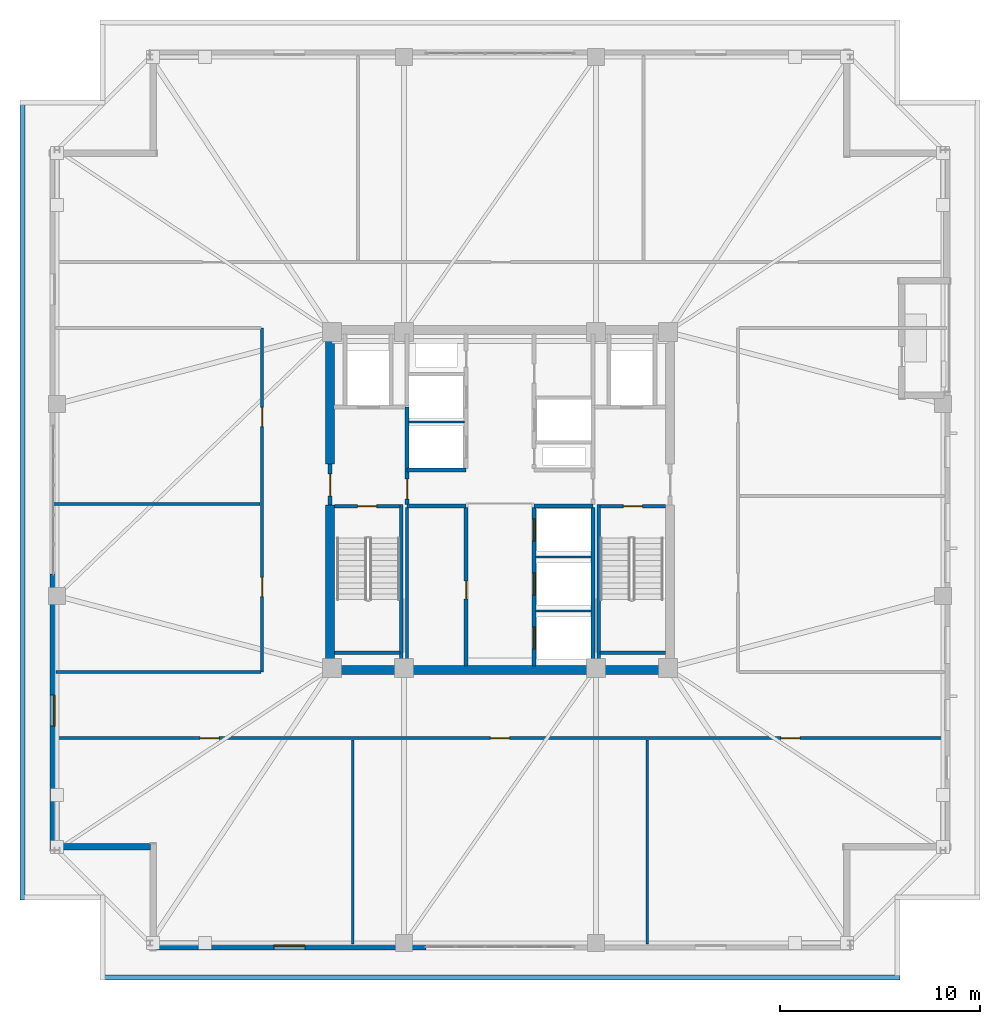
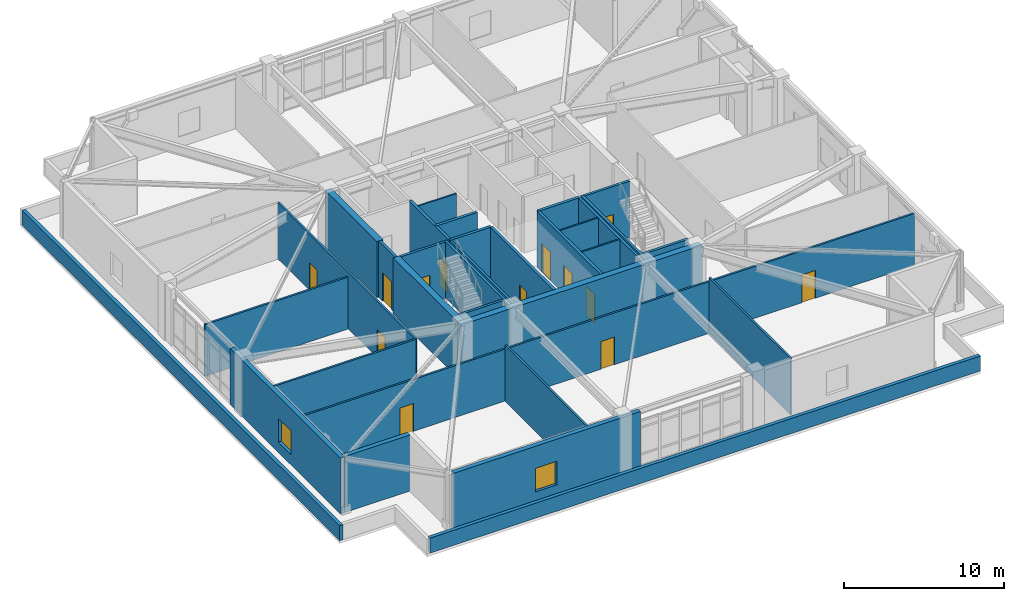
# One storey, part 11 of 18: 32 walls, 13 doors, 2 windows, 15 openings.
"""IFC4 building model written with IfcOpenShell, lengths in metres."""

import ifcopenshell
import ifcopenshell.guid

model = None  # the IFC model being written
_history = None  # IfcOwnerHistory: only IFC2X3 demands one
_inside = {}  # id of a spatial element -> (the spatial element, [elements in it])
_under = {}  # id of a project, library or spatial element -> (it, [spatial elements below it])
_declared = {}  # id of a project -> (the project, [libraries it declares])
_typed = {}  # id of a type object -> (the type object, [elements of that type])
_made_of = {}  # id of a material, layer set ... -> (it, [elements and type objects made of it])


def new_model(schema):
    """Start an empty IFC model of exactly this schema.

    Asked for "IFC4X3", IfcOpenShell would pick the latest addendum, in which some entities
    have other attributes; the version numbers below select the first issue.
    IFC2X3 requires an IfcOwnerHistory on every rooted entity: one is made here for all.
    """
    global model, _history
    if schema == "IFC4X3":
        model = ifcopenshell.file(schema_version=(4, 3, 0, 0))
    else:
        model = ifcopenshell.file(schema=schema)
    _inside.clear()
    _under.clear()
    _declared.clear()
    _typed.clear()
    _made_of.clear()
    _history = None
    if model.schema == "IFC2X3":
        org = make("IfcOrganization", Name="unknown")
        user = make(
            "IfcPersonAndOrganization",
            ThePerson=make("IfcPerson", FamilyName="unknown"),
            TheOrganization=org,
        )
        app = make(
            "IfcApplication",
            ApplicationDeveloper=org,
            Version="unknown",
            ApplicationFullName="unknown",
            ApplicationIdentifier="unknown",
        )
        _history = make(
            "IfcOwnerHistory",
            OwningUser=user,
            OwningApplication=app,
            ChangeAction="ADDED",
            CreationDate=0,
        )
    return model


def make(cls, **values):
    """One entity of the class cls with the attributes given. An attribute that is None is left unset."""
    return model.create_entity(
        cls, **{name: value for name, value in values.items() if value is not None}
    )


def rooted(cls, **values):
    """An entity with a GlobalId (a new one), such as an element, a storey or a relation."""
    return make(cls, GlobalId=ifcopenshell.guid.new(), OwnerHistory=_history, **values)


def si_unit(unit_type, name, prefix=None):
    """IfcSIUnit, for example si_unit("LENGTHUNIT", "METRE", prefix="MILLI")."""
    return make("IfcSIUnit", UnitType=unit_type, Prefix=prefix, Name=name)


def assignment(units):
    """IfcUnitAssignment: the units of a project."""
    return None if units is None else make("IfcUnitAssignment", Units=units)


def point(xyz):
    """IfcCartesianPoint."""
    return None if xyz is None else make("IfcCartesianPoint", Coordinates=xyz)


def direction(xyz):
    """IfcDirection."""
    return None if xyz is None else make("IfcDirection", DirectionRatios=xyz)


def frame(location, z_axis=None, x_axis=None):
    """IfcAxis2Placement3D, a coordinate frame: its origin and axes. An axis left out is left unset."""
    return make(
        "IfcAxis2Placement3D",
        Location=point(location),
        Axis=direction(z_axis),
        RefDirection=direction(x_axis),
    )


def frame_2d(location, x_axis=None):
    """IfcAxis2Placement2D, a coordinate frame in the plane: its origin and x axis."""
    return make(
        "IfcAxis2Placement2D", Location=point(location), RefDirection=direction(x_axis)
    )


def origin():
    """The frame at (0, 0, 0) with its axes left unset."""
    return frame((0.0, 0.0, 0.0))


def place(relative_to, where):
    """IfcLocalPlacement: puts the frame where relative to a parent placement (None: the world)."""
    return make(
        "IfcLocalPlacement", PlacementRelTo=relative_to, RelativePlacement=where
    )


def context(
    kind, dimensions, precision=None, world=None, true_north=None, identifier=None
):
    """IfcGeometricRepresentationContext, for example the 3D "Model" context."""
    return make(
        "IfcGeometricRepresentationContext",
        ContextIdentifier=identifier,
        ContextType=kind,
        CoordinateSpaceDimension=dimensions,
        Precision=precision,
        WorldCoordinateSystem=world,
        TrueNorth=true_north,
    )


def subcontext(parent, identifier, kind, view, scale=None):
    """IfcGeometricRepresentationSubContext, for example "Body" below "Model"."""
    return make(
        "IfcGeometricRepresentationSubContext",
        ContextIdentifier=identifier,
        ContextType=kind,
        ParentContext=parent,
        TargetScale=scale,
        TargetView=view,
    )


def project(units=None, contexts=None):
    """IfcProject with its units and contexts."""
    return rooted(
        "IfcProject",
        Name="project",
        RepresentationContexts=contexts,
        UnitsInContext=assignment(units),
    )


def spatial(cls, under=None, at=None, **own):
    """A site, building, storey or space (cls), placed at a placement, below another one or the project."""
    s = rooted(cls, ObjectPlacement=at, **own)
    if under is not None:
        _under.setdefault(under.id(), (under, []))[1].append(s)
    return s


def profile(cls, at=None, kind="AREA", **sizes):
    """A parametric profile (cls). Its sizes go by their IFC names, for example OverallWidth=200.0."""
    return make(cls, ProfileType=kind, Position=at, **sizes)


def rectangle(**sizes):
    """IfcRectangleProfileDef."""
    return profile("IfcRectangleProfileDef", **sizes)


def extrude(swept, where, along, depth):
    """IfcExtrudedAreaSolid: the profile swept, set in the frame where, extruded along a direction by depth."""
    return make(
        "IfcExtrudedAreaSolid",
        SweptArea=swept,
        Position=where,
        ExtrudedDirection=direction(along),
        Depth=depth,
    )


def shape(context_of_items, identifier, shape_type, items):
    """IfcShapeRepresentation: the items that make up one representation, for example the "Body"."""
    return make(
        "IfcShapeRepresentation",
        ContextOfItems=context_of_items,
        RepresentationIdentifier=identifier,
        RepresentationType=shape_type,
        Items=items,
    )


def material(Name=None, Category=None):
    """IfcMaterial."""
    return make("IfcMaterial", Name=Name, Category=Category)


def layer(
    of_material, thickness, ventilated=None, Name=None, Category=None, Priority=None
):
    """IfcMaterialLayer: one layer of a wall or slab, of a material (None: an air gap)."""
    return make(
        "IfcMaterialLayer",
        Material=of_material,
        LayerThickness=thickness,
        IsVentilated=ventilated,
        Name=Name,
        Category=Category,
        Priority=Priority,
    )


def layer_set(layers, Name=None):
    """IfcMaterialLayerSet."""
    return make("IfcMaterialLayerSet", MaterialLayers=layers, LayerSetName=Name)


def made_of(thing, what):
    """Note that an element or type object is made of a material, layer set ...; save() writes the relation."""
    if what is not None:
        _made_of.setdefault(what.id(), (what, []))[1].append(thing)
    return thing


def type_object(cls, material=None, **own):
    """A type object (cls), such as IfcWallType, which elements share."""
    return made_of(rooted(cls, **own), material)


def element(
    cls,
    number,
    at=None,
    inside=None,
    cuts=None,
    type_object=None,
    material=None,
    context=None,
    identifier="Body",
    shape_type=None,
    held_by="IfcProductDefinitionShape",
    body=None,
    shapes=None,
    **own,
):
    """One element of the class cls, such as IfcWall. Its Tag is "e" and its number.

    at: its placement. inside: the storey or other place that contains it. cuts: it is an
    opening in that element (IfcRelVoidsElement). A single representation is given by context,
    identifier, shape_type and body (its items); several are given by shapes. held_by: the class
    of the entity that holds the representations. save() writes the other relations.
    """
    e = rooted(cls, Tag="e%d" % number, ObjectPlacement=at, **own)
    if body is not None:
        shapes = [shape(context, identifier, shape_type, body)]
    if shapes is not None:
        e.Representation = make(held_by, Representations=shapes)
    if inside is not None:
        _inside.setdefault(inside.id(), (inside, []))[1].append(e)
    if cuts is not None:
        rooted(
            "IfcRelVoidsElement", RelatingBuildingElement=cuts, RelatedOpeningElement=e
        )
    if type_object is not None:
        _typed.setdefault(type_object.id(), (type_object, []))[1].append(e)
    return made_of(e, material)


def fill(opening, filler):
    """IfcRelFillsElement: the door or window that sits in an opening."""
    return rooted(
        "IfcRelFillsElement",
        RelatingOpeningElement=opening,
        RelatedBuildingElement=filler,
    )


def aggregate(whole, parts):
    """IfcRelAggregates: a whole, such as a stair, and the parts it consists of."""
    return rooted("IfcRelAggregates", RelatingObject=whole, RelatedObjects=parts)


def save(model, path):
    """Write the relations noted so far, then the file.

    IfcRelAggregates (storeys below a building ...), IfcRelContainedInSpatialStructure (elements
    in a storey), IfcRelDefinesByType, IfcRelAssociatesMaterial and IfcRelDeclares: one each for
    every whole, place, type object, material and project.
    """
    for whole, parts in _under.values():
        aggregate(whole, parts)
    for where, things in _inside.values():
        rooted(
            "IfcRelContainedInSpatialStructure",
            RelatedElements=things,
            RelatingStructure=where,
        )
    for kind, things in _typed.values():
        rooted("IfcRelDefinesByType", RelatedObjects=things, RelatingType=kind)
    for what, things in _made_of.values():
        rooted("IfcRelAssociatesMaterial", RelatedObjects=things, RelatingMaterial=what)
    for by, libraries in _declared.values():
        rooted("IfcRelDeclares", RelatingContext=by, RelatedDefinitions=libraries)
    model.write(path)


model = new_model("IFC4")

# Units and contexts
model_context = context("Model", 3, precision=1e-05, world=origin(), true_north=direction((0.0, 1.0)))
body_context = subcontext(model_context, "Body", "Model", "MODEL_VIEW")
ifc_project = project(units=[si_unit("LENGTHUNIT", "METRE"), si_unit("AREAUNIT", "SQUARE_METRE"), si_unit("VOLUMEUNIT", "CUBIC_METRE"), si_unit("PLANEANGLEUNIT", "RADIAN"), si_unit("MASSUNIT", "GRAM", prefix="KILO")], contexts=[model_context])

# Site, building, storey
site_placement = place(None, origin())
site = spatial("IfcSite", under=ifc_project, at=site_placement, CompositionType="ELEMENT")
building_placement = place(site_placement, origin())
building = spatial("IfcBuilding", under=site, at=building_placement, Name="Cairnveth Concourse Tower", CompositionType="ELEMENT")
storey_placement = place(building_placement, frame((0.0, 0.0, 198.0)))
storey = spatial("IfcBuildingStorey", under=building, at=storey_placement, Name="L54", CompositionType="ELEMENT", Elevation=198.0)

# Walls
ifc_material_1 = material(Name="Gypsum Plasterboard Partition", Category="gypsum")
ifc_layer_1 = layer(ifc_material_1, 0.159912109375)
ifc_layer_set_1 = layer_set([ifc_layer_1], Name="Gypsum Plasterboard Partition")
wall_type_1 = type_object("IfcWallType", Name="ACOUSTIC PARTY WALL 180", PredefinedType="PARTITIONING", material=ifc_layer_set_1)
wall_1_placement = place(storey_placement, frame((47.35009765625, 30.7099609375, 0.0), z_axis=(0.0, 0.0, 1.0), x_axis=(0.0, 1.0, 0.0)))
element("IfcWall", 1, at=wall_1_placement, inside=storey, type_object=wall_type_1, Name="Interior Wall IW-L54-025", PredefinedType="PARTITIONING", context=body_context, shape_type="SweptSolid", body=[
    extrude(rectangle(XDim=7.905029296875, YDim=0.159912109375, at=frame_2d((3.95263671875, 0.0))), origin(), (0.0, 0.0, 1.0), 4.2900390625),
])
ifc_material_2 = material(Name="Concrete N65 (65 MPa)", Category="concrete")
ifc_layer_2 = layer(ifc_material_2, 0.449951171875)
ifc_layer_set_2 = layer_set([ifc_layer_2], Name="Concrete N65 (65 MPa)")
wall_type_2 = type_object("IfcWallType", Name="CORE SHEAR WALL 450", PredefinedType="SHEAR", material=ifc_layer_set_2)
wall_2_placement = place(storey_placement, frame((43.27490234375, 30.5, 0.0), z_axis=(0.0, 0.0, 1.0), x_axis=(1.0, 0.0, 0.0)))
element("IfcWall", 2, at=wall_2_placement, inside=storey, type_object=wall_type_2, Name="Core South Shear Wall L54", PredefinedType="SHEAR", context=body_context, shape_type="SweptSolid", body=[
    extrude(rectangle(XDim=17.4501953125, YDim=0.449951171875, at=frame_2d((8.72509765625, 0.0))), origin(), (0.0, 0.0, 1.0), 4.2900390625),
])
wall_3_placement = place(storey_placement, frame((43.5, 30.715087890625, 0.0), z_axis=(0.0, 0.0, 1.0), x_axis=(0.0, 1.0, 0.0)))
element("IfcWall", 3, at=wall_3_placement, inside=storey, type_object=wall_type_2, Name="Core West Shear Wall S L54", PredefinedType="SHEAR", context=body_context, shape_type="SweptSolid", body=[
    extrude(rectangle(XDim=8.034912109375, YDim=0.449951171875, at=frame_2d((4.017578125, 0.0))), origin(), (0.0, 0.0, 1.0), 4.2900390625),
])
wall_4_placement = place(storey_placement, frame((43.5, 40.800048828125, 0.0), z_axis=(0.0, 0.0, 1.0), x_axis=(0.0, 1.0, 0.0)))
element("IfcWall", 4, at=wall_4_placement, inside=storey, type_object=wall_type_2, Name="Core West Shear Wall N L54", PredefinedType="SHEAR", context=body_context, shape_type="SweptSolid", body=[
    extrude(rectangle(XDim=6.48486328125, YDim=0.449951171875, at=frame_2d((3.242431640625, 0.0))), origin(), (0.0, 0.0, 1.0), 4.2900390625),
])
ifc_material_3 = material(Name="Concrete N50 (50 MPa)", Category="concrete")
ifc_layer_3 = layer(ifc_material_3, 0.179931640625)
ifc_layer_set_3 = layer_set([ifc_layer_3], Name="Concrete N50 (50 MPa)")
wall_type_3 = type_object("IfcWallType", Name="FIRE SHAFT WALL 180", PredefinedType="SOLIDWALL", material=ifc_layer_set_3)
wall_5_placement = place(storey_placement, frame((56.64990234375, 30.7099609375, 0.0), z_axis=(0.0, 0.0, 1.0), x_axis=(0.0, 1.0, 0.0)))
element("IfcWall", 5, at=wall_5_placement, inside=storey, type_object=wall_type_3, Name="Interior Wall IW-L54-026", PredefinedType="SOLIDWALL", context=body_context, shape_type="SweptSolid", body=[
    extrude(rectangle(XDim=7.905029296875, YDim=0.179931640625, at=frame_2d((3.95263671875, 0.0))), origin(), (0.0, 0.0, 1.0), 4.2900390625),
])

# Wall, opening, door
wall_6_placement = place(storey_placement, frame((43.715087890625, 38.68994140625, 0.0), z_axis=(0.0, 0.0, 1.0), x_axis=(1.0, 0.0, 0.0)))
wall_6 = element("IfcWall", 6, at=wall_6_placement, inside=storey, type_object=wall_type_3, Name="Stair ST-1 Shaft Wall NEAR L54", PredefinedType="SOLIDWALL", context=body_context, shape_type="SweptSolid", body=[
    extrude(rectangle(XDim=3.280029296875, YDim=0.179931640625, at=frame_2d((1.64013671875, 0.0))), origin(), (0.0, 0.0, 1.0), 4.2900390625),
])
opening_1_placement = place(wall_6_placement, frame((1.1650390625, 0.0, 0.0)))
opening_1 = element("IfcOpeningElement", 7, at=opening_1_placement, cuts=wall_6, Name="Opening ID12", PredefinedType="OPENING", context=body_context, shape_type="SweptSolid", body=[
    extrude(rectangle(XDim=0.949951171875, YDim=2.14990234375, at=frame_2d((0.47509765625, 1.074951171875))), frame((0.0, 0.099853515625, 0.0), z_axis=(0.0, -1.0, 0.0), x_axis=(1.0, 0.0, 0.0)), (0.0, 0.0, 1.0), 0.199951171875),
])
ifc_material_4 = material(Name="Steel Grade 350", Category="steel")
door_type_1 = type_object("IfcDoorType", Name="FIRE STAIR DOOR 950X2150", OperationType="NOTDEFINED", PredefinedType="DOOR", material=ifc_material_4)
door_1_placement = place(opening_1_placement, origin())
door_1 = element("IfcDoor", 8, at=door_1_placement, inside=storey, type_object=door_type_1, Name="Stair ST-1 Fire Door L54", OperationType="SINGLE_SWING_LEFT", OverallHeight=2.14990234375, OverallWidth=0.949951171875, PredefinedType="DOOR", context=body_context, shape_type="SweptSolid", body=[
    extrude(rectangle(XDim=0.949951171875, YDim=2.14990234375, at=frame_2d((0.47509765625, 1.074951171875))), frame((0.0, 0.02490234375, 0.0), z_axis=(0.0, -1.0, 0.0), x_axis=(1.0, 0.0, 0.0)), (0.0, 0.0, 1.0), 0.050048828125),
])
fill(opening_1, door_1)

# Walls
wall_7_placement = place(storey_placement, frame((43.715087890625, 31.360107421875, 0.0), z_axis=(0.0, 0.0, 1.0), x_axis=(1.0, 0.0, 0.0)))
element("IfcWall", 9, at=wall_7_placement, inside=storey, type_object=wall_type_3, Name="Stair ST-1 Shaft Wall FAR L54", PredefinedType="SOLIDWALL", context=body_context, shape_type="SweptSolid", body=[
    extrude(rectangle(XDim=3.280029296875, YDim=0.179931640625, at=frame_2d((1.64013671875, 0.0))), origin(), (0.0, 0.0, 1.0), 4.2900390625),
])
wall_8_placement = place(storey_placement, frame((47.070068359375, 38.780029296875, 0.0), z_axis=(0.0, 0.0, 1.0), x_axis=(0.0, -1.0, 0.0)))
element("IfcWall", 10, at=wall_8_placement, inside=storey, type_object=wall_type_3, Name="Stair ST-1 Shaft Wall RGHT L54", PredefinedType="SOLIDWALL", context=body_context, shape_type="SweptSolid", body=[
    extrude(rectangle(XDim=8.067138671875, YDim=0.179931640625, at=frame_2d((4.03369140625, 0.0))), origin(), (0.0, 0.0, 1.0), 4.2900390625),
])

# Wall, opening, door
wall_9_placement = place(storey_placement, frame((57.0048828125, 38.68994140625, 0.0), z_axis=(0.0, 0.0, 1.0), x_axis=(1.0, 0.0, 0.0)))
wall_9 = element("IfcWall", 11, at=wall_9_placement, inside=storey, type_object=wall_type_3, Name="Stair ST-2 Shaft Wall NEAR L54", PredefinedType="SOLIDWALL", context=body_context, shape_type="SweptSolid", body=[
    extrude(rectangle(XDim=3.280029296875, YDim=0.179931640625, at=frame_2d((1.64013671875, 0.0))), origin(), (0.0, 0.0, 1.0), 4.2900390625),
])
opening_2_placement = place(wall_9_placement, frame((1.1650390625, 0.0, 0.0)))
opening_2 = element("IfcOpeningElement", 12, at=opening_2_placement, cuts=wall_9, Name="Opening ID12", PredefinedType="OPENING", context=body_context, shape_type="SweptSolid", body=[
    extrude(rectangle(XDim=0.949951171875, YDim=2.14990234375, at=frame_2d((0.47509765625, 1.074951171875))), frame((0.0, 0.099853515625, 0.0), z_axis=(0.0, -1.0, 0.0), x_axis=(1.0, 0.0, 0.0)), (0.0, 0.0, 1.0), 0.199951171875),
])
door_2_placement = place(opening_2_placement, origin())
door_2 = element("IfcDoor", 13, at=door_2_placement, inside=storey, type_object=door_type_1, Name="Stair ST-2 Fire Door L54", OperationType="SINGLE_SWING_RIGHT", OverallHeight=2.14990234375, OverallWidth=0.949951171875, PredefinedType="DOOR", context=body_context, shape_type="SweptSolid", body=[
    extrude(rectangle(XDim=0.949951171875, YDim=2.14990234375, at=frame_2d((0.47509765625, 1.074951171875))), frame((0.0, 0.02490234375, 0.0), z_axis=(0.0, -1.0, 0.0), x_axis=(1.0, 0.0, 0.0)), (0.0, 0.0, 1.0), 0.050048828125),
])
fill(opening_2, door_2)

# Walls
wall_10_placement = place(storey_placement, frame((57.0048828125, 31.360107421875, 0.0), z_axis=(0.0, 0.0, 1.0), x_axis=(1.0, 0.0, 0.0)))
element("IfcWall", 14, at=wall_10_placement, inside=storey, type_object=wall_type_3, Name="Stair ST-2 Shaft Wall FAR L54", PredefinedType="SOLIDWALL", context=body_context, shape_type="SweptSolid", body=[
    extrude(rectangle(XDim=3.280029296875, YDim=0.179931640625, at=frame_2d((1.64013671875, 0.0))), origin(), (0.0, 0.0, 1.0), 4.2900390625),
])
wall_11_placement = place(storey_placement, frame((56.929931640625, 38.780029296875, 0.0), z_axis=(0.0, 0.0, 1.0), x_axis=(0.0, -1.0, 0.0)))
element("IfcWall", 15, at=wall_11_placement, inside=storey, type_object=wall_type_3, Name="Stair ST-2 Shaft Wall LEFT L54", PredefinedType="SOLIDWALL", context=body_context, shape_type="SweptSolid", body=[
    extrude(rectangle(XDim=8.067138671875, YDim=0.179931640625, at=frame_2d((4.03369140625, 0.0))), origin(), (0.0, 0.0, 1.0), 4.2900390625),
])
ifc_layer_4 = layer(ifc_material_3, 0.199951171875)
ifc_layer_set_4 = layer_set([ifc_layer_4], Name="Concrete N50 (50 MPa)")
wall_type_4 = type_object("IfcWallType", Name="FIRE SHAFT WALL 200", PredefinedType="SOLIDWALL", material=ifc_layer_set_4)
for number, where, z_axis, x_axis, name in (
    (16, (47.35009765625, 38.699951171875, 0.0), (0.0, 0.0, 1.0), (1.0, 0.0, 0.0), "Interior Wall IW-L54-007"),
    (17, (47.35009765625, 40.5, 0.0), (0.0, 0.0, 1.0), (1.0, 0.0, 0.0), "Interior Wall IW-L54-008"),
    (18, (53.699951171875, 38.699951171875, 0.0), (0.0, 0.0, 1.0), (1.0, 0.0, 0.0), "Interior Wall IW-L54-009"),
):
    element("IfcWall", number, at=place(storey_placement, frame(where, z_axis=z_axis, x_axis=x_axis)), inside=storey, type_object=wall_type_4, Name=name, PredefinedType="SOLIDWALL", context=body_context, shape_type="SweptSolid", body=[
        extrude(rectangle(XDim=2.949951171875, YDim=0.199951171875, at=frame_2d((1.47509765625, 0.0))), origin(), (0.0, 0.0, 1.0), 4.2900390625),
    ])

# Wall, opening, door
wall_12_placement = place(storey_placement, frame((50.300048828125, 30.7099609375, 0.0), z_axis=(0.0, 0.0, 1.0), x_axis=(0.0, 1.0, 0.0)))
wall_12 = element("IfcWall", 19, at=wall_12_placement, inside=storey, type_object=wall_type_4, Name="Interior Wall IW-L54-011", PredefinedType="SOLIDWALL", context=body_context, shape_type="SweptSolid", body=[
    extrude(rectangle(XDim=7.905029296875, YDim=0.199951171875, at=frame_2d((3.95263671875, 0.0))), origin(), (0.0, 0.0, 1.0), 4.2900390625),
])
opening_3_placement = place(wall_12_placement, frame((3.340087890625, 0.0, 0.0)))
opening_3 = element("IfcOpeningElement", 20, at=opening_3_placement, cuts=wall_12, Name="Opening ID16", PredefinedType="OPENING", context=body_context, shape_type="SweptSolid", body=[
    extrude(rectangle(XDim=0.89990234375, YDim=2.1201171875, at=frame_2d((0.449951171875, 1.06005859375))), frame((0.0, 0.10986328125, 0.0), z_axis=(0.0, -1.0, 0.0), x_axis=(1.0, 0.0, 0.0)), (0.0, 0.0, 1.0), 0.219970703125),
])
door_type_2 = type_object("IfcDoorType", Name="CORE SERVICE DOOR 900X2100", OperationType="NOTDEFINED", PredefinedType="DOOR", material=ifc_material_4)
door_3_placement = place(opening_3_placement, origin())
door_3 = element("IfcDoor", 21, at=door_3_placement, inside=storey, type_object=door_type_2, Name="Linen Pantry Suite Door L54", OperationType="SINGLE_SWING_LEFT", OverallHeight=2.1201171875, OverallWidth=0.89990234375, PredefinedType="DOOR", context=body_context, shape_type="SweptSolid", body=[
    extrude(rectangle(XDim=0.89990234375, YDim=2.1201171875, at=frame_2d((0.449951171875, 1.06005859375))), frame((0.0, 0.02490234375, 0.0), z_axis=(0.0, -1.0, 0.0), x_axis=(1.0, 0.0, 0.0)), (0.0, 0.0, 1.0), 0.050048828125),
])
fill(opening_3, door_3)

# Wall, openings, doors
wall_13_placement = place(storey_placement, frame((53.699951171875, 30.7099609375, 0.0), z_axis=(0.0, 0.0, 1.0), x_axis=(0.0, 1.0, 0.0)))
wall_13 = element("IfcWall", 22, at=wall_13_placement, inside=storey, type_object=wall_type_4, Name="Interior Wall IW-L54-012", PredefinedType="SOLIDWALL", context=body_context, shape_type="SweptSolid", body=[
    extrude(rectangle(XDim=7.905029296875, YDim=0.199951171875, at=frame_2d((3.95263671875, 0.0))), origin(), (0.0, 0.0, 1.0), 4.2900390625),
])
opening_4_placement = place(wall_13_placement, frame((0.840087890625, 0.0, 0.0)))
opening_4 = element("IfcOpeningElement", 23, at=opening_4_placement, cuts=wall_13, Name="Opening LD-1", PredefinedType="OPENING", context=body_context, shape_type="SweptSolid", body=[
    extrude(rectangle(XDim=1.10009765625, YDim=2.199951171875, at=frame_2d((0.550048828125, 1.10009765625))), frame((0.0, 0.10986328125, 0.0), z_axis=(0.0, -1.0, 0.0), x_axis=(1.0, 0.0, 0.0)), (0.0, 0.0, 1.0), 0.219970703125),
])
opening_5_placement = place(wall_13_placement, frame((3.5400390625, 0.0, 0.0)))
opening_5 = element("IfcOpeningElement", 24, at=opening_5_placement, cuts=wall_13, Name="Opening LD-1", PredefinedType="OPENING", context=body_context, shape_type="SweptSolid", body=[
    extrude(rectangle(XDim=1.10009765625, YDim=2.199951171875, at=frame_2d((0.550048828125, 1.10009765625))), frame((0.0, 0.10986328125, 0.0), z_axis=(0.0, -1.0, 0.0), x_axis=(1.0, 0.0, 0.0)), (0.0, 0.0, 1.0), 0.219970703125),
])
opening_6_placement = place(wall_13_placement, frame((6.239990234375, 0.0, 0.0)))
opening_6 = element("IfcOpeningElement", 25, at=opening_6_placement, cuts=wall_13, Name="Opening LD-1", PredefinedType="OPENING", context=body_context, shape_type="SweptSolid", body=[
    extrude(rectangle(XDim=1.10009765625, YDim=2.199951171875, at=frame_2d((0.550048828125, 1.10009765625))), frame((0.0, 0.10986328125, 0.0), z_axis=(0.0, -1.0, 0.0), x_axis=(1.0, 0.0, 0.0)), (0.0, 0.0, 1.0), 0.219970703125),
])
ifc_material_5 = material(Name="Architectural Bronze Anodised Aluminium 6063-T6", Category="aluminium")
door_type_3 = type_object("IfcDoorType", Name="LIFT LANDING DOOR 1100X2200", OperationType="SLIDING_TO_LEFT", PredefinedType="DOOR", material=ifc_material_5)
door_4_placement = place(opening_4_placement, origin())
door_4 = element("IfcDoor", 26, at=door_4_placement, inside=storey, type_object=door_type_3, Name="Lift PL4 Landing Door L54", OperationType="SLIDING_TO_LEFT", OverallHeight=2.199951171875, OverallWidth=1.10009765625, PredefinedType="DOOR", context=body_context, shape_type="SweptSolid", body=[
    extrude(rectangle(XDim=1.10009765625, YDim=2.199951171875, at=frame_2d((0.550048828125, 1.10009765625))), frame((0.0, 0.02490234375, 0.0), z_axis=(0.0, -1.0, 0.0), x_axis=(1.0, 0.0, 0.0)), (0.0, 0.0, 1.0), 0.050048828125),
])
fill(opening_4, door_4)
door_5_placement = place(opening_5_placement, origin())
door_5 = element("IfcDoor", 27, at=door_5_placement, inside=storey, type_object=door_type_3, Name="Lift PL5 Landing Door L54", OperationType="SLIDING_TO_LEFT", OverallHeight=2.199951171875, OverallWidth=1.10009765625, PredefinedType="DOOR", context=body_context, shape_type="SweptSolid", body=[
    extrude(rectangle(XDim=1.10009765625, YDim=2.199951171875, at=frame_2d((0.550048828125, 1.10009765625))), frame((0.0, 0.02490234375, 0.0), z_axis=(0.0, -1.0, 0.0), x_axis=(1.0, 0.0, 0.0)), (0.0, 0.0, 1.0), 0.050048828125),
])
fill(opening_5, door_5)
door_6_placement = place(opening_6_placement, origin())
door_6 = element("IfcDoor", 28, at=door_6_placement, inside=storey, type_object=door_type_3, Name="Lift PL6 Landing Door L54", OperationType="SLIDING_TO_LEFT", OverallHeight=2.199951171875, OverallWidth=1.10009765625, PredefinedType="DOOR", context=body_context, shape_type="SweptSolid", body=[
    extrude(rectangle(XDim=1.10009765625, YDim=2.199951171875, at=frame_2d((0.550048828125, 1.10009765625))), frame((0.0, 0.02490234375, 0.0), z_axis=(0.0, -1.0, 0.0), x_axis=(1.0, 0.0, 0.0)), (0.0, 0.0, 1.0), 0.050048828125),
])
fill(opening_6, door_6)

# Wall, opening, door
wall_14_placement = place(storey_placement, frame((43.5, 38.75, 0.0), z_axis=(0.0, 0.0, 1.0), x_axis=(0.0, 1.0, 0.0)))
wall_14 = element("IfcWall", 29, at=wall_14_placement, inside=storey, type_object=wall_type_4, Name="Interior Wall IW-L54-015", PredefinedType="SOLIDWALL", context=body_context, shape_type="SweptSolid", body=[
    extrude(rectangle(XDim=2.050048828125, YDim=0.199951171875, at=frame_2d((1.02490234375, 0.0))), origin(), (0.0, 0.0, 1.0), 4.2900390625),
])
opening_7_placement = place(wall_14_placement, frame((0.449951171875, 0.0, 0.0)))
opening_7 = element("IfcOpeningElement", 30, at=opening_7_placement, cuts=wall_14, Name="Opening ID06", PredefinedType="OPENING", context=body_context, shape_type="SweptSolid", body=[
    extrude(rectangle(XDim=1.10009765625, YDim=2.14990234375, at=frame_2d((0.550048828125, 1.074951171875))), frame((0.0, 0.10986328125, 0.0), z_axis=(0.0, -1.0, 0.0), x_axis=(1.0, 0.0, 0.0)), (0.0, 0.0, 1.0), 0.219970703125),
])
door_type_4 = type_object("IfcDoorType", Name="FIRE CORRIDOR DOOR 1100X2150", OperationType="NOTDEFINED", PredefinedType="DOOR", material=ifc_material_4)
door_7_placement = place(opening_7_placement, origin())
door_7 = element("IfcDoor", 31, at=door_7_placement, inside=storey, type_object=door_type_4, Name="West Wing to FF Lobby Door L54", OperationType="SINGLE_SWING_LEFT", OverallHeight=2.14990234375, OverallWidth=1.10009765625, PredefinedType="DOOR", context=body_context, shape_type="SweptSolid", body=[
    extrude(rectangle(XDim=1.10009765625, YDim=2.14990234375, at=frame_2d((0.550048828125, 1.074951171875))), frame((0.0, 0.02490234375, 0.0), z_axis=(0.0, -1.0, 0.0), x_axis=(1.0, 0.0, 0.0)), (0.0, 0.0, 1.0), 0.050048828125),
])
fill(opening_7, door_7)

wall_15_placement = place(storey_placement, frame((47.35009765625, 38.784912109375, 0.0), z_axis=(0.0, 0.0, 1.0), x_axis=(0.0, 1.0, 0.0)))
wall_15 = element("IfcWall", 32, at=wall_15_placement, inside=storey, type_object=wall_type_4, Name="Interior Wall IW-L54-016", PredefinedType="SOLIDWALL", context=body_context, shape_type="SweptSolid", body=[
    extrude(rectangle(XDim=4.864990234375, YDim=0.199951171875, at=frame_2d((2.4326171875, 0.0))), origin(), (0.0, 0.0, 1.0), 4.2900390625),
])
opening_8_placement = place(wall_15_placement, frame((0.264892578125, 0.0, 0.0)))
opening_8 = element("IfcOpeningElement", 33, at=opening_8_placement, cuts=wall_15, Name="Opening ID07", PredefinedType="OPENING", context=body_context, shape_type="SweptSolid", body=[
    extrude(rectangle(XDim=1.0, YDim=2.14990234375, at=frame_2d((0.5, 1.074951171875))), frame((0.0, 0.10986328125, 0.0), z_axis=(0.0, -1.0, 0.0), x_axis=(1.0, 0.0, 0.0)), (0.0, 0.0, 1.0), 0.219970703125),
])
door_type_5 = type_object("IfcDoorType", Name="FIRE CORRIDOR DOOR 1000X2150", OperationType="NOTDEFINED", PredefinedType="DOOR", material=ifc_material_4)
door_8_placement = place(opening_8_placement, origin())
door_8 = element("IfcDoor", 34, at=door_8_placement, inside=storey, type_object=door_type_5, Name="FF Lobby West to Lift Lobby Door L54", OperationType="SINGLE_SWING_RIGHT", OverallHeight=2.14990234375, OverallWidth=1.0, PredefinedType="DOOR", context=body_context, shape_type="SweptSolid", body=[
    extrude(rectangle(XDim=1.0, YDim=2.14990234375, at=frame_2d((0.5, 1.074951171875))), frame((0.0, 0.02490234375, 0.0), z_axis=(0.0, -1.0, 0.0), x_axis=(1.0, 0.0, 0.0)), (0.0, 0.0, 1.0), 0.050048828125),
])
fill(opening_8, door_8)

# Wall, openings, doors
ifc_layer_5 = layer(ifc_material_1, 0.139892578125)
ifc_layer_set_5 = layer_set([ifc_layer_5], Name="Gypsum Plasterboard Partition")
wall_type_5 = type_object("IfcWallType", Name="GYPSUM STUD PARTITION 140", PredefinedType="PARTITIONING", material=ifc_layer_set_5)
wall_16_placement = place(storey_placement, frame((29.804931640625, 27.10009765625, 0.0), z_axis=(0.0, 0.0, 1.0), x_axis=(1.0, 0.0, 0.0)))
wall_16 = element("IfcWall", 35, at=wall_16_placement, inside=storey, type_object=wall_type_5, Name="Interior Wall IW-L54-035", PredefinedType="PARTITIONING", context=body_context, shape_type="SweptSolid", body=[
    extrude(rectangle(XDim=44.39013671875, YDim=0.139892578125, at=frame_2d((22.195068359375, 0.0))), origin(), (0.0, 0.0, 1.0), 3.9580078125),
])
opening_9_placement = place(wall_16_placement, frame((7.195068359375, 0.0, 0.0)))
opening_9 = element("IfcOpeningElement", 36, at=opening_9_placement, cuts=wall_16, Name="Opening ID11", PredefinedType="OPENING", context=body_context, shape_type="SweptSolid", body=[
    extrude(rectangle(XDim=0.9599609375, YDim=2.1201171875, at=frame_2d((0.47998046875, 1.06005859375))), frame((0.0, 0.079833984375, 0.0), z_axis=(0.0, -1.0, 0.0), x_axis=(1.0, 0.0, 0.0)), (0.0, 0.0, 1.0), 0.159912109375),
])
opening_10_placement = place(wall_16_placement, frame((21.715087890625, 0.0, 0.0)))
opening_10 = element("IfcOpeningElement", 37, at=opening_10_placement, cuts=wall_16, Name="Opening ID11", PredefinedType="OPENING", context=body_context, shape_type="SweptSolid", body=[
    extrude(rectangle(XDim=0.9599609375, YDim=2.1201171875, at=frame_2d((0.47998046875, 1.06005859375))), frame((0.0, 0.079833984375, 0.0), z_axis=(0.0, -1.0, 0.0), x_axis=(1.0, 0.0, 0.0)), (0.0, 0.0, 1.0), 0.159912109375),
])
opening_11_placement = place(wall_16_placement, frame((36.235107421875, 0.0, 0.0)))
opening_11 = element("IfcOpeningElement", 38, at=opening_11_placement, cuts=wall_16, Name="Opening ID11", PredefinedType="OPENING", context=body_context, shape_type="SweptSolid", body=[
    extrude(rectangle(XDim=0.9599609375, YDim=2.1201171875, at=frame_2d((0.47998046875, 1.06005859375))), frame((0.0, 0.079833984375, 0.0), z_axis=(0.0, -1.0, 0.0), x_axis=(1.0, 0.0, 0.0)), (0.0, 0.0, 1.0), 0.159912109375),
])
ifc_material_6 = material(Name="Solid Core Hardwood Timber Leaf", Category="wood")
door_type_6 = type_object("IfcDoorType", Name="INTERIOR SINGLE DOOR 960X2150", OperationType="NOTDEFINED", PredefinedType="DOOR", material=ifc_material_6)
door_9_placement = place(opening_9_placement, origin())
door_9 = element("IfcDoor", 39, at=door_9_placement, inside=storey, type_object=door_type_6, Name="Office Door L54-S1", OperationType="SINGLE_SWING_LEFT", OverallHeight=2.1201171875, OverallWidth=0.9599609375, PredefinedType="DOOR", context=body_context, shape_type="SweptSolid", body=[
    extrude(rectangle(XDim=0.9599609375, YDim=2.1201171875, at=frame_2d((0.47998046875, 1.06005859375))), frame((0.0, 0.02490234375, 0.0), z_axis=(0.0, -1.0, 0.0), x_axis=(1.0, 0.0, 0.0)), (0.0, 0.0, 1.0), 0.050048828125),
])
fill(opening_9, door_9)
door_10_placement = place(opening_10_placement, origin())
door_10 = element("IfcDoor", 40, at=door_10_placement, inside=storey, type_object=door_type_6, Name="Office Door L54-S2", OperationType="SINGLE_SWING_RIGHT", OverallHeight=2.1201171875, OverallWidth=0.9599609375, PredefinedType="DOOR", context=body_context, shape_type="SweptSolid", body=[
    extrude(rectangle(XDim=0.9599609375, YDim=2.1201171875, at=frame_2d((0.47998046875, 1.06005859375))), frame((0.0, 0.02490234375, 0.0), z_axis=(0.0, -1.0, 0.0), x_axis=(1.0, 0.0, 0.0)), (0.0, 0.0, 1.0), 0.050048828125),
])
fill(opening_10, door_10)
door_11_placement = place(opening_11_placement, origin())
door_11 = element("IfcDoor", 41, at=door_11_placement, inside=storey, type_object=door_type_6, Name="Office Door L54-S3", OperationType="SINGLE_SWING_LEFT", OverallHeight=2.1201171875, OverallWidth=0.9599609375, PredefinedType="DOOR", context=body_context, shape_type="SweptSolid", body=[
    extrude(rectangle(XDim=0.9599609375, YDim=2.1201171875, at=frame_2d((0.47998046875, 1.06005859375))), frame((0.0, 0.02490234375, 0.0), z_axis=(0.0, -1.0, 0.0), x_axis=(1.0, 0.0, 0.0)), (0.0, 0.0, 1.0), 0.050048828125),
])
fill(opening_11, door_11)

wall_17_placement = place(storey_placement, frame((40.10009765625, 30.39990234375, 0.0), z_axis=(0.0, 0.0, 1.0), x_axis=(0.0, 1.0, 0.0)))
wall_17 = element("IfcWall", 42, at=wall_17_placement, inside=storey, type_object=wall_type_5, Name="Interior Wall IW-L54-037", PredefinedType="PARTITIONING", context=body_context, shape_type="SweptSolid", body=[
    extrude(rectangle(XDim=17.2001953125, YDim=0.139892578125, at=frame_2d((8.60009765625, 0.0))), origin(), (0.0, 0.0, 1.0), 4.2900390625),
])
opening_12_placement = place(wall_17_placement, frame((3.7724609375, 0.0, 0.0)))
opening_12 = element("IfcOpeningElement", 43, at=opening_12_placement, cuts=wall_17, Name="Opening ID11", PredefinedType="OPENING", context=body_context, shape_type="SweptSolid", body=[
    extrude(rectangle(XDim=0.9599609375, YDim=2.1201171875, at=frame_2d((0.47998046875, 1.06005859375))), frame((0.0, 0.079833984375, 0.0), z_axis=(0.0, -1.0, 0.0), x_axis=(1.0, 0.0, 0.0)), (0.0, 0.0, 1.0), 0.159912109375),
])
opening_13_placement = place(wall_17_placement, frame((12.2724609375, 0.0, 0.0)))
opening_13 = element("IfcOpeningElement", 44, at=opening_13_placement, cuts=wall_17, Name="Opening ID11", PredefinedType="OPENING", context=body_context, shape_type="SweptSolid", body=[
    extrude(rectangle(XDim=0.9599609375, YDim=2.1201171875, at=frame_2d((0.47998046875, 1.06005859375))), frame((0.0, 0.079833984375, 0.0), z_axis=(0.0, -1.0, 0.0), x_axis=(1.0, 0.0, 0.0)), (0.0, 0.0, 1.0), 0.159912109375),
])
door_12_placement = place(opening_12_placement, origin())
door_12 = element("IfcDoor", 45, at=door_12_placement, inside=storey, type_object=door_type_6, Name="Office Door L54-W1", OperationType="SINGLE_SWING_LEFT", OverallHeight=2.1201171875, OverallWidth=0.9599609375, PredefinedType="DOOR", context=body_context, shape_type="SweptSolid", body=[
    extrude(rectangle(XDim=0.9599609375, YDim=2.1201171875, at=frame_2d((0.47998046875, 1.06005859375))), frame((0.0, 0.02490234375, 0.0), z_axis=(0.0, -1.0, 0.0), x_axis=(1.0, 0.0, 0.0)), (0.0, 0.0, 1.0), 0.050048828125),
])
fill(opening_12, door_12)
door_13_placement = place(opening_13_placement, origin())
door_13 = element("IfcDoor", 46, at=door_13_placement, inside=storey, type_object=door_type_6, Name="Office Door L54-W2", OperationType="SINGLE_SWING_RIGHT", OverallHeight=2.1201171875, OverallWidth=0.9599609375, PredefinedType="DOOR", context=body_context, shape_type="SweptSolid", body=[
    extrude(rectangle(XDim=0.9599609375, YDim=2.1201171875, at=frame_2d((0.47998046875, 1.06005859375))), frame((0.0, 0.02490234375, 0.0), z_axis=(0.0, -1.0, 0.0), x_axis=(1.0, 0.0, 0.0)), (0.0, 0.0, 1.0), 0.050048828125),
])
fill(opening_13, door_13)

# Walls
wall_18_placement = place(storey_placement, frame((29.804931640625, 30.39990234375, 0.0), z_axis=(0.0, 0.0, 1.0), x_axis=(1.0, 0.0, 0.0)))
element("IfcWall", 47, at=wall_18_placement, inside=storey, type_object=wall_type_5, Name="Interior Wall IW-L54-039", PredefinedType="PARTITIONING", context=body_context, shape_type="SweptSolid", body=[
    extrude(rectangle(XDim=10.239990234375, YDim=0.139892578125, at=frame_2d((5.1201171875, 0.0))), origin(), (0.0, 0.0, 1.0), 4.2900390625),
])
for number, where, z_axis, x_axis, name in (
    (48, (44.639892578125, 16.804931640625, 0.0), (0.0, 0.0, 1.0), (0.0, 1.0, 0.0), "Interior Wall IW-L54-043"),
    (49, (59.360107421875, 16.804931640625, 0.0), (0.0, 0.0, 1.0), (0.0, 1.0, 0.0), "Interior Wall IW-L54-044"),
):
    element("IfcWall", number, at=place(storey_placement, frame(where, z_axis=z_axis, x_axis=x_axis)), inside=storey, type_object=wall_type_5, Name=name, PredefinedType="PARTITIONING", context=body_context, shape_type="SweptSolid", body=[
        extrude(rectangle(XDim=10.195068359375, YDim=0.139892578125, at=frame_2d((5.09765625, 0.0))), origin(), (0.0, 0.0, 1.0), 4.2900390625),
    ])
wall_19_placement = place(storey_placement, frame((29.669921875, 38.804931640625, 0.0), z_axis=(0.0, 0.0, 1.0), x_axis=(1.0, 0.0, 0.0)))
element("IfcWall", 50, at=wall_19_placement, inside=storey, type_object=wall_type_5, Name="Interior Wall IW-L54-047", PredefinedType="PARTITIONING", context=body_context, shape_type="SweptSolid", body=[
    extrude(rectangle(XDim=10.330078125, YDim=0.139892578125, at=frame_2d((5.1650390625, 0.0))), origin(), (0.0, 0.0, 1.0), 3.9580078125),
])
ifc_material_7 = material(Name="Hawthorn Red-Ochre Fired Clay Brick Masonry", Category="masonry")
ifc_layer_6 = layer(ifc_material_7, 0.25)
ifc_layer_set_6 = layer_set([ifc_layer_6], Name="Hawthorn Red-Ochre Fired Clay Brick Masonry")
wall_type_6 = type_object("IfcWallType", Name="ROOF MASONRY PARAPET WALL 250", PredefinedType="PARAPET", material=ifc_layer_set_6)
for number, where, z_axis, x_axis, name in (
    (51, (28.125, 19.0, 0.0), (0.0, 0.0, 1.0), (0.0, 1.0, 0.0), "Exterior Wall EP-L54-SB02"),
    (52, (72.0, 15.125, 0.0), (0.0, 0.0, 1.0), (-1.0, 0.0, 0.0), "Exterior Wall EP-L54-SB11"),
):
    element("IfcWall", number, at=place(storey_placement, frame(where, z_axis=z_axis, x_axis=x_axis)), inside=storey, type_object=wall_type_6, Name=name, PredefinedType="PARAPET", context=body_context, shape_type="SweptSolid", body=[
        extrude(rectangle(XDim=39.77197265625, YDim=0.25, at=frame_2d((19.885986328125, 0.0))), origin(), (0.0, 0.0, 1.0), 1.14990234375),
    ])
ifc_layer_7 = layer(ifc_material_1, 0.110107421875)
ifc_layer_set_7 = layer_set([ifc_layer_7], Name="Gypsum Plasterboard Partition")
wall_type_7 = type_object("IfcWallType", Name="SHAFT DIVIDER WALL 140", PredefinedType="PARTITIONING", material=ifc_layer_set_7)
for number, where, z_axis, x_axis, name in (
    (53, (53.784912109375, 33.449951171875, 0.0), (0.0, 0.0, 1.0), (1.0, 0.0, 0.0), "Interior Wall IW-L54-027"),
    (54, (53.784912109375, 36.14990234375, 0.0), (0.0, 0.0, 1.0), (1.0, 0.0, 0.0), "Interior Wall IW-L54-028"),
):
    element("IfcWall", number, at=place(storey_placement, frame(where, z_axis=z_axis, x_axis=x_axis)), inside=storey, type_object=wall_type_7, Name=name, PredefinedType="PARTITIONING", context=body_context, shape_type="SweptSolid", body=[
        extrude(rectangle(XDim=2.7900390625, YDim=0.110107421875, at=frame_2d((1.39501953125, 0.0))), origin(), (0.0, 0.0, 1.0), 4.2900390625),
    ])
wall_20_placement = place(storey_placement, frame((47.43505859375, 42.89990234375, 0.0), z_axis=(0.0, 0.0, 1.0), x_axis=(1.0, 0.0, 0.0)))
element("IfcWall", 55, at=wall_20_placement, inside=storey, type_object=wall_type_7, Name="Interior Wall IW-L54-030", PredefinedType="PARTITIONING", context=body_context, shape_type="SweptSolid", body=[
    extrude(rectangle(XDim=2.780029296875, YDim=0.110107421875, at=frame_2d((1.39013671875, 0.0))), origin(), (0.0, 0.0, 1.0), 4.2900390625),
])

# Wall, opening, window
ifc_material_8 = material(Name="Melbourne Buff Fired Clay Brick Masonry", Category="masonry")
ifc_layer_8 = layer(ifc_material_8, 0.320068359375)
ifc_layer_set_8 = layer_set([ifc_layer_8], Name="Melbourne Buff Fired Clay Brick Masonry")
wall_type_8 = type_object("IfcWallType", Name="ZONE 3 BRICK PIER SPANDREL WALL 320", PredefinedType="SOLIDWALL", material=ifc_layer_set_8)
wall_21_placement = place(storey_placement, frame((48.300048828125, 16.659912109375, 0.0), z_axis=(0.0, 0.0, 1.0), x_axis=(-1.0, 0.0, 0.0)))
wall_21 = element("IfcWall", 56, at=wall_21_placement, inside=storey, type_object=wall_type_8, Name="Exterior Wall EW-L54-S3B", PredefinedType="SOLIDWALL", context=body_context, shape_type="SweptSolid", body=[
    extrude(rectangle(XDim=13.501953125, YDim=0.320068359375, at=frame_2d((6.7509765625, 0.0))), origin(), (0.0, 0.0, 1.0), 4.2900390625),
])
opening_14_placement = place(wall_21_placement, frame((6.051025390625, 0.0, 0.800048828125)))
opening_14 = element("IfcOpeningElement", 57, at=opening_14_placement, cuts=wall_21, Name="Opening W07", PredefinedType="OPENING", context=body_context, shape_type="SweptSolid", body=[
    extrude(rectangle(XDim=1.550048828125, YDim=1.800048828125, at=frame_2d((0.77490234375, 0.89990234375))), frame((0.0, 0.169921875, 0.0), z_axis=(0.0, -1.0, 0.0), x_axis=(1.0, 0.0, 0.0)), (0.0, 0.0, 1.0), 0.340087890625),
])
ifc_material_9 = material(Name="Double Glazed Low-E Clear Glass", Category="glass")
window_type = type_object("IfcWindowType", Name="DEEP-SET APARTMENT WINDOW 1550X1800", PartitioningType="DOUBLE_PANEL_VERTICAL", PredefinedType="WINDOW", material=ifc_material_9)
window_1_placement = place(opening_14_placement, origin())
window_1 = element("IfcWindow", 58, at=window_1_placement, inside=storey, type_object=window_type, Name="WIN-L54-S3-B", OverallHeight=1.800048828125, OverallWidth=1.550048828125, PartitioningType="SINGLE_PANEL", PredefinedType="WINDOW", context=body_context, shape_type="SweptSolid", body=[
    extrude(rectangle(XDim=1.550048828125, YDim=1.800048828125, at=frame_2d((0.77490234375, 0.89990234375))), frame((0.0, -0.0400390625, 0.0), z_axis=(0.0, -1.0, 0.0), x_axis=(1.0, 0.0, 0.0)), (0.0, 0.0, 1.0), 0.06005859375),
])
fill(opening_14, window_1)

# Wall
wall_22_placement = place(storey_placement, frame((34.52197265625, 21.659912109375, 0.0), z_axis=(0.0, 0.0, 1.0), x_axis=(-1.0, 0.0, 0.0)))
element("IfcWall", 59, at=wall_22_placement, inside=storey, type_object=wall_type_8, Name="Exterior Wall EW-L54-S05", PredefinedType="SOLIDWALL", context=body_context, shape_type="SweptSolid", body=[
    extrude(rectangle(XDim=4.723876953125, YDim=0.320068359375, at=frame_2d((2.36181640625, 0.0))), origin(), (0.0, 0.0, 1.0), 4.2900390625),
])

# Wall, opening, window
wall_23_placement = place(storey_placement, frame((29.659912109375, 21.5, 0.0), z_axis=(0.0, 0.0, 1.0), x_axis=(0.0, 1.0, 0.0)))
wall_23 = element("IfcWall", 60, at=wall_23_placement, inside=storey, type_object=wall_type_8, Name="Exterior Wall EW-L54-S6A", PredefinedType="SOLIDWALL", context=body_context, shape_type="SweptSolid", body=[
    extrude(rectangle(XDim=13.800048828125, YDim=0.320068359375, at=frame_2d((6.89990234375, 0.0))), origin(), (0.0, 0.0, 1.0), 4.2900390625),
])
opening_15_placement = place(wall_23_placement, frame((6.199951171875, 0.0, 0.800048828125)))
opening_15 = element("IfcOpeningElement", 61, at=opening_15_placement, cuts=wall_23, Name="Opening W07", PredefinedType="OPENING", context=body_context, shape_type="SweptSolid", body=[
    extrude(rectangle(XDim=1.550048828125, YDim=1.800048828125, at=frame_2d((0.77490234375, 0.89990234375))), frame((0.0, 0.169921875, 0.0), z_axis=(0.0, -1.0, 0.0), x_axis=(1.0, 0.0, 0.0)), (0.0, 0.0, 1.0), 0.340087890625),
])
window_2_placement = place(opening_15_placement, origin())
window_2 = element("IfcWindow", 62, at=window_2_placement, inside=storey, type_object=window_type, Name="WIN-L54-S6-A", OverallHeight=1.800048828125, OverallWidth=1.550048828125, PartitioningType="SINGLE_PANEL", PredefinedType="WINDOW", context=body_context, shape_type="SweptSolid", body=[
    extrude(rectangle(XDim=1.550048828125, YDim=1.800048828125, at=frame_2d((0.77490234375, 0.89990234375))), frame((0.0, -0.0400390625, 0.0), z_axis=(0.0, -1.0, 0.0), x_axis=(1.0, 0.0, 0.0)), (0.0, 0.0, 1.0), 0.06005859375),
])
fill(opening_15, window_2)

save(model, "model.ifc")
